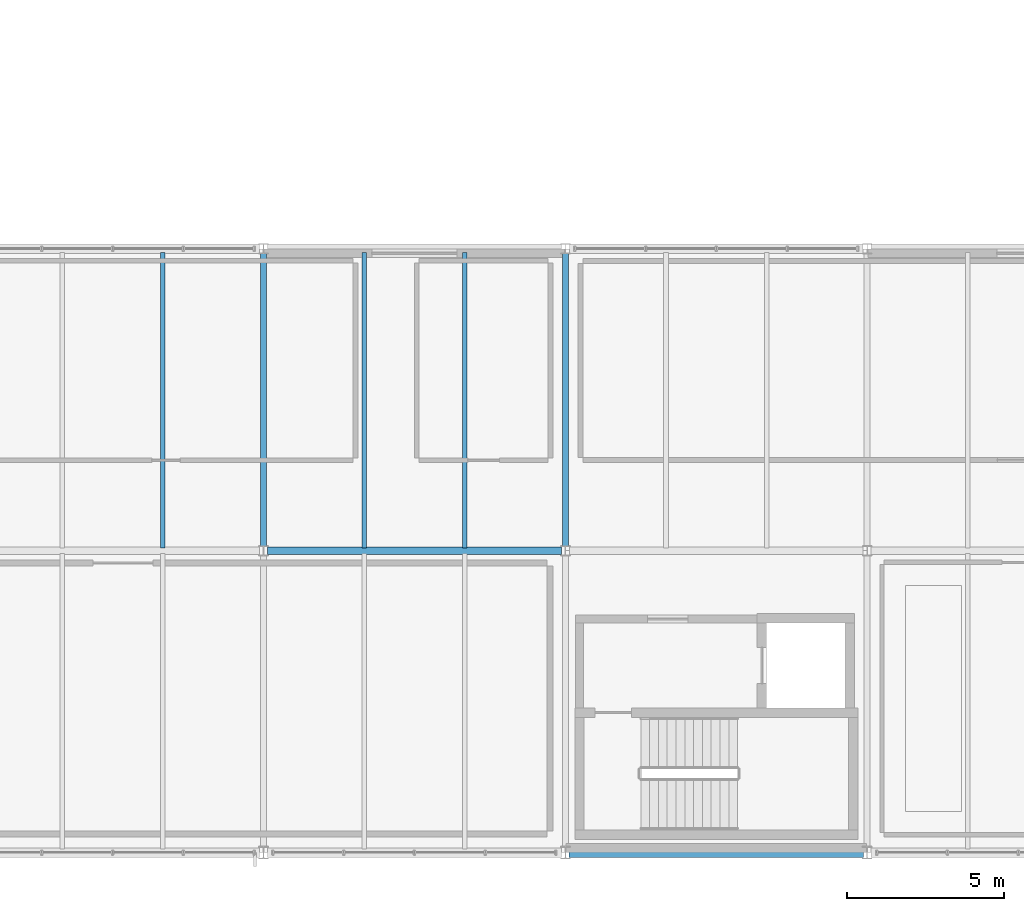
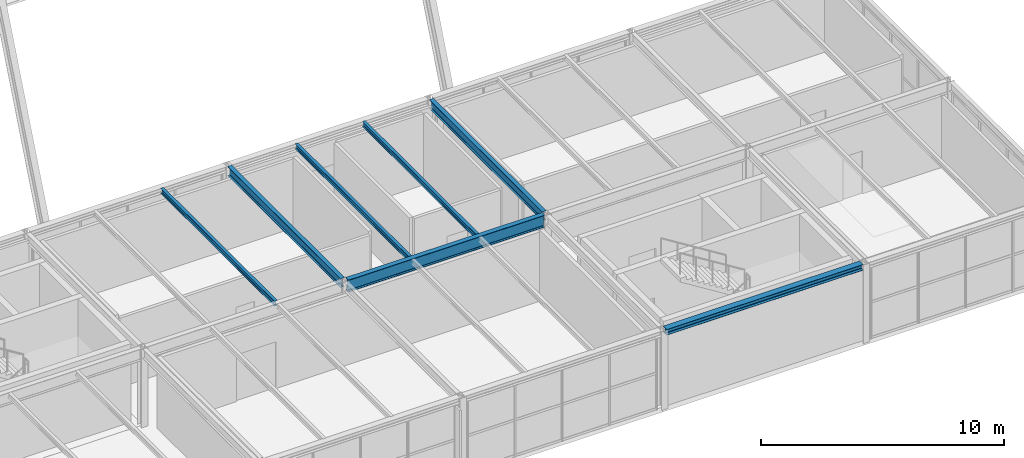
# One storey, part 47 of 126: 7 beams.
"""IFC4 building model written with IfcOpenShell, lengths in metres."""

from ifc_helpers import new_model, si_unit, direction, frame, origin, origin_2d, place, context, subcontext, project, spatial, i_section, extrude, material, material_profile, profile_set, type_object, element, save


model = new_model("IFC4")

# Units and contexts
model_context = context("Model", 3, precision=1e-05, world=origin(), true_north=direction((0.0, 1.0)))
body_context = subcontext(model_context, "Body", "Model", "MODEL_VIEW")
ifc_project = project(units=[si_unit("LENGTHUNIT", "METRE"), si_unit("AREAUNIT", "SQUARE_METRE"), si_unit("VOLUMEUNIT", "CUBIC_METRE"), si_unit("PLANEANGLEUNIT", "RADIAN"), si_unit("MASSUNIT", "GRAM", prefix="KILO")], contexts=[model_context])

# Site, building, storey
site_placement = place(None, origin())
site = spatial("IfcSite", under=ifc_project, at=site_placement, CompositionType="ELEMENT")
building_placement = place(site_placement, origin())
building = spatial("IfcBuilding", under=site, at=building_placement, Name="Coralgate Yard Interchange", CompositionType="ELEMENT")
storey_placement = place(building_placement, frame((0.0, 0.0, 10.5)))
storey = spatial("IfcBuildingStorey", under=building, at=storey_placement, Name="L02", CompositionType="ELEMENT", Elevation=10.5)

# Beams
ifc_material = material(Name="Structural steel S355J2", Category="steel")
ifc_material_profile_1 = material_profile(ifc_material, i_section(OverallWidth=0.1904296875, OverallDepth=0.45703125, WebThickness=0.009033203125, FlangeThickness=0.014404296875, FilletRadius=0.01025390625, at=origin_2d()), Name="UB 457x191x74")
ifc_profile_set_1 = profile_set([ifc_material_profile_1], Name="Structural steel S355J2")
beam_type_1 = type_object("IfcBeamType", Name="BM-SB-2", PredefinedType="BEAM", material=ifc_profile_set_1)
for number, where, z_axis, x_axis, name in (
    (1, (67.199951171875, 9.739990234375, 3.721435546875), (0.0, 1.0, 0.0), (-1.0, 0.0, 0.0), "L02 primary grid girder X7 Y1-2"),
    (2, (76.800048828125, 9.739990234375, 3.721435546875), (0.0, 1.0, 0.0), (-1.0, 0.0, 0.0), "L02 primary grid girder X8 Y1-2"),
):
    element("IfcBeam", number, at=place(storey_placement, frame(where, z_axis=z_axis, x_axis=x_axis)), inside=storey, type_object=beam_type_1, Name=name, PredefinedType="BEAM", context=body_context, shape_type="SweptSolid", body=[
        extrude(i_section(OverallWidth=0.1904296875, OverallDepth=0.45703125, WebThickness=0.009033203125, FlangeThickness=0.014404296875, FilletRadius=0.01025390625, at=origin_2d()), origin(), (0.0, 0.0, 1.0), 9.320068359375),
    ])
ifc_material_profile_2 = material_profile(ifc_material, i_section(OverallWidth=0.228271484375, OverallDepth=0.607666015625, WebThickness=0.010986328125, FlangeThickness=0.017333984375, FilletRadius=0.0126953125, at=origin_2d()), Name="UB 610x229x113")
ifc_profile_set_2 = profile_set([ifc_material_profile_2], Name="Structural steel S355J2")
beam_type_2 = type_object("IfcBeamType", Name="BM-SG-5", PredefinedType="BEAM", material=ifc_profile_set_2)
beam_1_placement = place(storey_placement, frame((67.327392578125, 9.60009765625, 3.646240234375), z_axis=(1.0, 0.0, 0.0), x_axis=(0.0, 1.0, 0.0)))
element("IfcBeam", 3, at=beam_1_placement, inside=storey, type_object=beam_type_2, Name="L02 primary grid beam Y1 X7-8", PredefinedType="BEAM", context=body_context, shape_type="SweptSolid", body=[
    extrude(i_section(OverallWidth=0.228271484375, OverallDepth=0.607666015625, WebThickness=0.010986328125, FlangeThickness=0.017333984375, FilletRadius=0.0126953125, at=origin_2d()), origin(), (0.0, 0.0, 1.0), 9.34521484375),
])
ifc_material_profile_3 = material_profile(ifc_material, i_section(OverallWidth=0.14599609375, OverallDepth=0.25146484375, WebThickness=0.006103515625, FlangeThickness=0.008544921875, FilletRadius=0.007568359375, at=origin_2d()), Name="UB 254x146x31")
ifc_profile_set_3 = profile_set([ifc_material_profile_3], Name="Structural steel S355J2")
beam_type_3 = type_object("IfcBeamType", Name="BM-SJ-2", PredefinedType="JOIST", material=ifc_profile_set_3)
for number, where, z_axis, x_axis, name in (
    (4, (64.0, 9.68408203125, 3.82421875), (0.0, 1.0, 0.0), (-1.0, 0.0, 0.0), "L02 composite floor joist 6-1-2"),
    (5, (70.39990234375, 9.68408203125, 3.82421875), (0.0, 1.0, 0.0), (-1.0, 0.0, 0.0), "L02 composite floor joist 7-1-1"),
    (6, (73.60009765625, 9.68408203125, 3.82421875), (0.0, 1.0, 0.0), (-1.0, 0.0, 0.0), "L02 composite floor joist 7-1-2"),
):
    element("IfcBeam", number, at=place(storey_placement, frame(where, z_axis=z_axis, x_axis=x_axis)), inside=storey, type_object=beam_type_3, Name=name, PredefinedType="JOIST", context=body_context, shape_type="SweptSolid", body=[
        extrude(i_section(OverallWidth=0.14599609375, OverallDepth=0.25146484375, WebThickness=0.006103515625, FlangeThickness=0.008544921875, FilletRadius=0.007568359375, at=origin_2d()), origin(), (0.0, 0.0, 1.0), 9.39599609375),
    ])
ifc_material_profile_4 = material_profile(ifc_material, i_section(OverallWidth=0.300048828125, OverallDepth=0.2900390625, WebThickness=0.008544921875, FlangeThickness=0.013916015625, FilletRadius=0.027099609375, at=origin_2d()), Name="HEA 300")
ifc_profile_set_4 = profile_set([ifc_material_profile_4], Name="Structural steel S355J2")
beam_type_4 = type_object("IfcBeamType", Name="BM-SP-2", PredefinedType="SPANDREL", material=ifc_profile_set_4)
beam_2_placement = place(storey_placement, frame((76.919921875, 0.0, 3.804931640625), z_axis=(1.0, 0.0, 0.0), x_axis=(0.0, 1.0, 0.0)))
element("IfcBeam", 7, at=beam_2_placement, inside=storey, type_object=beam_type_4, Name="L02 primary grid beam Y0 X8-9", PredefinedType="SPANDREL", context=body_context, shape_type="SweptSolid", body=[
    extrude(i_section(OverallWidth=0.300048828125, OverallDepth=0.2900390625, WebThickness=0.008544921875, FlangeThickness=0.013916015625, FilletRadius=0.027099609375, at=origin_2d()), origin(), (0.0, 0.0, 1.0), 9.360107421875),
])

save(model, "model.ifc")
